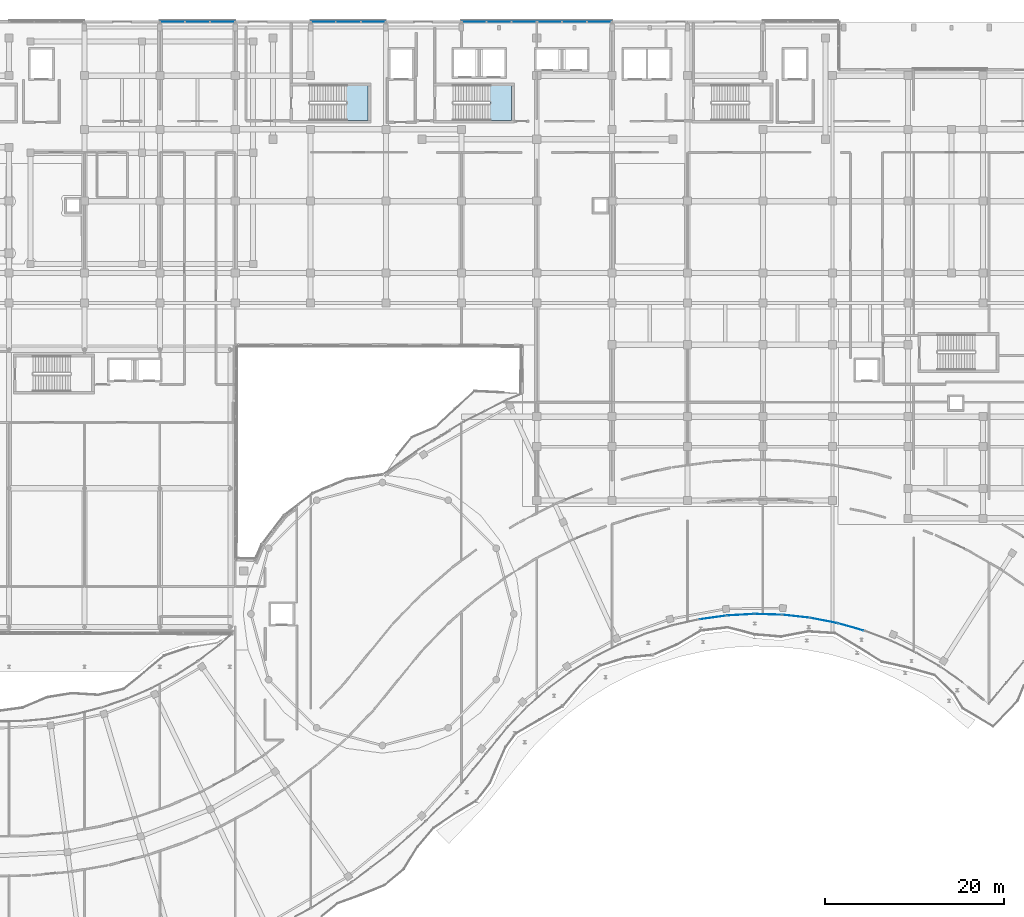
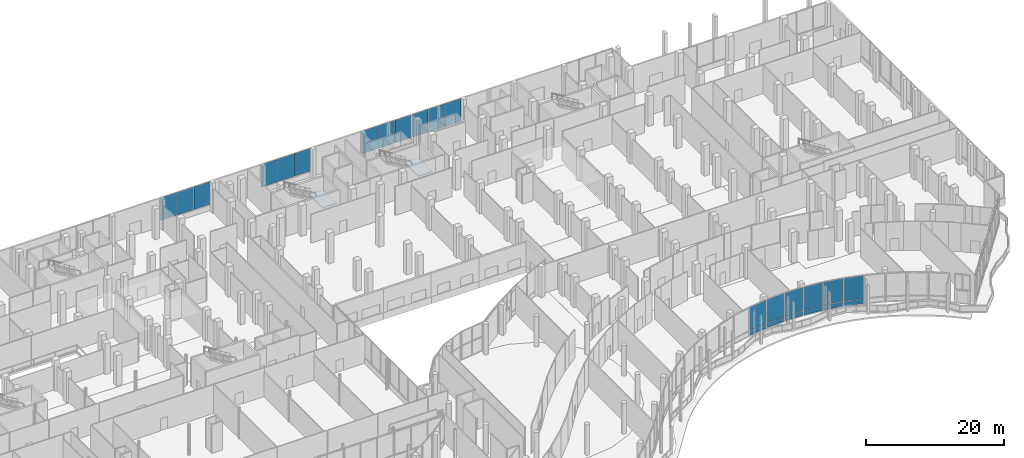
# One storey, part 129 of 158: 24 plates, 2 slabs, 12 elements without a shape of their own.
"""IFC4 building model written with IfcOpenShell, lengths in metres."""

from ifc_helpers import new_model, si_unit, direction, frame, origin, origin_2d, place, context, subcontext, project, spatial, polyline, rectangle, outline, extrude, material, layer, layer_set, type_object, element, aggregate, save


model = new_model("IFC4")

# Units and contexts
model_context = context("Model", 3, precision=1e-05, world=origin(), true_north=direction((0.0, 1.0)))
body_context = subcontext(model_context, "Body", "Model", "MODEL_VIEW")
ifc_project = project(units=[si_unit("LENGTHUNIT", "METRE"), si_unit("AREAUNIT", "SQUARE_METRE"), si_unit("VOLUMEUNIT", "CUBIC_METRE"), si_unit("PLANEANGLEUNIT", "RADIAN"), si_unit("MASSUNIT", "GRAM", prefix="KILO")], contexts=[model_context])

# Site, building, storey
site_placement = place(None, origin())
site = spatial("IfcSite", under=ifc_project, at=site_placement, CompositionType="ELEMENT")
building_placement = place(site_placement, origin())
building = spatial("IfcBuilding", under=site, at=building_placement, Name="Selatvlak General Hospital", CompositionType="ELEMENT")
storey_placement = place(building_placement, origin())
storey = spatial("IfcBuildingStorey", under=building, at=storey_placement, Name="L00", CompositionType="ELEMENT", Elevation=0.0)

# Curtain wall, plates
ifc_material_1 = material(Name="Solar-control Low-E double glazing", Category="glass")
curtain_wall_type_1 = type_object("IfcCurtainWallType", Name="CW-CW-01", PredefinedType="USERDEFINED", material=ifc_material_1)
curtain_wall_1_placement = place(storey_placement, origin())
curtain_wall_1 = element("IfcCurtainWall", 1, at=curtain_wall_1_placement, inside=storey, type_object=curtain_wall_type_1, Name="Glazed facade curtain wall CW-L00-0006", ObjectType="UNITISED CURTAIN WALL", PredefinedType="USERDEFINED")
ifc_layer_1 = layer(ifc_material_1, 0.028076171875, Name="Solar-control Low-E double glazing", Category="glass")
ifc_layer_set_1 = layer_set([ifc_layer_1], Name="Solar-control Low-E double glazing")
plate_type = type_object("IfcPlateType", Name="CWP-01", PredefinedType="CURTAIN_PANEL", material=ifc_layer_set_1)
plate_1_placement = place(storey_placement, frame((74.626220703125, 119.9990234375, 1.0048828125), z_axis=(0.0, 0.0, 1.0), x_axis=(1.0, 0.0, 0.0)))
plate_1 = element("IfcPlate", 2, at=plate_1_placement, type_object=plate_type, Name="CW-01 panel 1.1", PredefinedType="CURTAIN_PANEL", context=body_context, shape_type="SweptSolid", body=[
    extrude(rectangle(XDim=2.6923828125, YDim=0.028076171875, at=origin_2d()), origin(), (0.0, 0.0, 1.0), 4.010009765625),
])
plate_2_placement = place(storey_placement, frame((77.39990234375, 119.9990234375, 1.0048828125), z_axis=(0.0, 0.0, 1.0), x_axis=(1.0, 0.0, 0.0)))
plate_2 = element("IfcPlate", 3, at=plate_2_placement, type_object=plate_type, Name="CW-01 panel 2.1", PredefinedType="CURTAIN_PANEL", context=body_context, shape_type="SweptSolid", body=[
    extrude(rectangle(XDim=2.72509765625, YDim=0.028076171875, at=origin_2d()), origin(), (0.0, 0.0, 1.0), 4.010009765625),
])
plate_3_placement = place(storey_placement, frame((80.173828125, 119.9990234375, 1.0048828125), z_axis=(0.0, 0.0, 1.0), x_axis=(1.0, 0.0, 0.0)))
plate_3 = element("IfcPlate", 4, at=plate_3_placement, type_object=plate_type, Name="CW-01 panel 3.1", PredefinedType="CURTAIN_PANEL", context=body_context, shape_type="SweptSolid", body=[
    extrude(rectangle(XDim=2.6923828125, YDim=0.028076171875, at=origin_2d()), origin(), (0.0, 0.0, 1.0), 4.010009765625),
])
aggregate(curtain_wall_1, [plate_1, plate_2, plate_3])

curtain_wall_2_placement = place(storey_placement, origin())
curtain_wall_2 = element("IfcCurtainWall", 5, at=curtain_wall_2_placement, inside=storey, type_object=curtain_wall_type_1, Name="Glazed facade curtain wall CW-L00-0007", ObjectType="UNITISED CURTAIN WALL", PredefinedType="USERDEFINED")
plate_4_placement = place(storey_placement, frame((91.42529296875, 120.0, 1.0048828125), z_axis=(0.0, 0.0, 1.0), x_axis=(1.0, 0.0, 0.0)))
plate_4 = element("IfcPlate", 6, at=plate_4_placement, type_object=plate_type, Name="CW-01 panel 1.1", PredefinedType="CURTAIN_PANEL", context=body_context, shape_type="SweptSolid", body=[
    extrude(rectangle(XDim=2.6923828125, YDim=0.028076171875, at=origin_2d()), origin(), (0.0, 0.0, 1.0), 4.010009765625),
])
plate_5_placement = place(storey_placement, frame((94.198974609375, 120.0, 1.0048828125), z_axis=(0.0, 0.0, 1.0), x_axis=(1.0, 0.0, 0.0)))
plate_5 = element("IfcPlate", 7, at=plate_5_placement, type_object=plate_type, Name="CW-01 panel 2.1", PredefinedType="CURTAIN_PANEL", context=body_context, shape_type="SweptSolid", body=[
    extrude(rectangle(XDim=2.72509765625, YDim=0.028076171875, at=origin_2d()), origin(), (0.0, 0.0, 1.0), 4.010009765625),
])
plate_6_placement = place(storey_placement, frame((96.97265625, 120.0, 1.0048828125), z_axis=(0.0, 0.0, 1.0), x_axis=(1.0, 0.0, 0.0)))
plate_6 = element("IfcPlate", 8, at=plate_6_placement, type_object=plate_type, Name="CW-01 panel 3.1", PredefinedType="CURTAIN_PANEL", context=body_context, shape_type="SweptSolid", body=[
    extrude(rectangle(XDim=2.6923828125, YDim=0.028076171875, at=origin_2d()), origin(), (0.0, 0.0, 1.0), 4.010009765625),
])
aggregate(curtain_wall_2, [plate_4, plate_5, plate_6])

curtain_wall_3_placement = place(storey_placement, origin())
curtain_wall_3 = element("IfcCurtainWall", 9, at=curtain_wall_3_placement, inside=storey, type_object=curtain_wall_type_1, Name="Glazed facade curtain wall CW-L00-0008", ObjectType="UNITISED CURTAIN WALL", PredefinedType="USERDEFINED")
plate_7_placement = place(storey_placement, frame((108.225341796875, 120.0, 1.0048828125), z_axis=(0.0, 0.0, 1.0), x_axis=(1.0, 0.0, 0.0)))
plate_7 = element("IfcPlate", 10, at=plate_7_placement, type_object=plate_type, Name="CW-01 panel 1.1", PredefinedType="CURTAIN_PANEL", context=body_context, shape_type="SweptSolid", body=[
    extrude(rectangle(XDim=2.6923828125, YDim=0.028076171875, at=origin_2d()), origin(), (0.0, 0.0, 1.0), 4.010009765625),
])
plate_8_placement = place(storey_placement, frame((110.9990234375, 120.0, 1.0048828125), z_axis=(0.0, 0.0, 1.0), x_axis=(1.0, 0.0, 0.0)))
plate_8 = element("IfcPlate", 11, at=plate_8_placement, type_object=plate_type, Name="CW-01 panel 2.1", PredefinedType="CURTAIN_PANEL", context=body_context, shape_type="SweptSolid", body=[
    extrude(rectangle(XDim=2.72509765625, YDim=0.028076171875, at=origin_2d()), origin(), (0.0, 0.0, 1.0), 4.010009765625),
])
plate_9_placement = place(storey_placement, frame((113.772705078125, 120.0, 1.0048828125), z_axis=(0.0, 0.0, 1.0), x_axis=(1.0, 0.0, 0.0)))
plate_9 = element("IfcPlate", 12, at=plate_9_placement, type_object=plate_type, Name="CW-01 panel 3.1", PredefinedType="CURTAIN_PANEL", context=body_context, shape_type="SweptSolid", body=[
    extrude(rectangle(XDim=2.6923828125, YDim=0.028076171875, at=origin_2d()), origin(), (0.0, 0.0, 1.0), 4.010009765625),
])
aggregate(curtain_wall_3, [plate_7, plate_8, plate_9])

curtain_wall_type_2 = type_object("IfcCurtainWallType", Name="CW-CW-02", PredefinedType="USERDEFINED", material=ifc_material_1)
curtain_wall_4_placement = place(storey_placement, origin())
curtain_wall_4 = element("IfcCurtainWall", 13, at=curtain_wall_4_placement, inside=storey, type_object=curtain_wall_type_2, Name="Glazed facade curtain wall CW-L00-0009", ObjectType="UNITISED CURTAIN WALL", PredefinedType="USERDEFINED")
plate_10_placement = place(storey_placement, frame((116.6669921875, 120.0, 1.0048828125), z_axis=(0.0, 0.0, 1.0), x_axis=(1.0, 0.0, 0.0)))
plate_10 = element("IfcPlate", 14, at=plate_10_placement, type_object=plate_type, Name="CW-02 panel 1.1", PredefinedType="CURTAIN_PANEL", context=body_context, shape_type="SweptSolid", body=[
    extrude(rectangle(XDim=2.67578125, YDim=0.028076171875, at=origin_2d()), origin(), (0.0, 0.0, 1.0), 4.010009765625),
])
plate_11_placement = place(storey_placement, frame((119.424072265625, 120.0, 1.0048828125), z_axis=(0.0, 0.0, 1.0), x_axis=(1.0, 0.0, 0.0)))
plate_11 = element("IfcPlate", 15, at=plate_11_placement, type_object=plate_type, Name="CW-02 panel 2.1", PredefinedType="CURTAIN_PANEL", context=body_context, shape_type="SweptSolid", body=[
    extrude(rectangle(XDim=2.708251953125, YDim=0.028076171875, at=origin_2d()), origin(), (0.0, 0.0, 1.0), 4.010009765625),
])
plate_12_placement = place(storey_placement, frame((122.18115234375, 120.0, 1.0048828125), z_axis=(0.0, 0.0, 1.0), x_axis=(1.0, 0.0, 0.0)))
plate_12 = element("IfcPlate", 16, at=plate_12_placement, type_object=plate_type, Name="CW-02 panel 3.1", PredefinedType="CURTAIN_PANEL", context=body_context, shape_type="SweptSolid", body=[
    extrude(rectangle(XDim=2.67578125, YDim=0.028076171875, at=origin_2d()), origin(), (0.0, 0.0, 1.0), 4.010009765625),
])
aggregate(curtain_wall_4, [plate_10, plate_11, plate_12])

curtain_wall_5_placement = place(storey_placement, origin())
curtain_wall_5 = element("IfcCurtainWall", 17, at=curtain_wall_5_placement, inside=storey, type_object=curtain_wall_type_2, Name="Glazed facade curtain wall CW-L00-0028", ObjectType="UNITISED CURTAIN WALL", PredefinedType="USERDEFINED")
plate_13_placement = place(storey_placement, frame((150.205078125, 52.551513671875, 0.06494140625), z_axis=(0.0, 0.0, 1.0), x_axis=(-0.962057469853, 0.272846888748, 0.0)))
plate_13 = element("IfcPlate", 18, at=plate_13_placement, type_object=plate_type, Name="CW-02 panel 1.1", PredefinedType="CURTAIN_PANEL", context=body_context, shape_type="SweptSolid", body=[
    extrude(rectangle(XDim=2.901123046875, YDim=0.028076171875, at=origin_2d()), origin(), (0.0, 0.0, 1.0), 0.8525390625),
])
plate_14_placement = place(storey_placement, frame((150.205078125, 52.551513671875, 0.982421875), z_axis=(0.0, 0.0, 1.0), x_axis=(-0.962057469853, 0.272846888748, 0.0)))
plate_14 = element("IfcPlate", 19, at=plate_14_placement, type_object=plate_type, Name="CW-02 panel 1.2", PredefinedType="CURTAIN_PANEL", context=body_context, shape_type="SweptSolid", body=[
    extrude(rectangle(XDim=2.901123046875, YDim=0.028076171875, at=origin_2d()), origin(), (0.0, 0.0, 1.0), 4.032470703125),
])
aggregate(curtain_wall_5, [plate_13, plate_14])

curtain_wall_6_placement = place(storey_placement, origin())
curtain_wall_6 = element("IfcCurtainWall", 20, at=curtain_wall_6_placement, inside=storey, type_object=curtain_wall_type_1, Name="Glazed facade curtain wall CW-L00-0029", ObjectType="UNITISED CURTAIN WALL", PredefinedType="USERDEFINED")
plate_15_placement = place(storey_placement, frame((147.180908203125, 53.2734375, 0.06494140625), z_axis=(0.0, 0.0, 1.0), x_axis=(-0.981346698428, 0.192246345827, 0.0)))
plate_15 = element("IfcPlate", 21, at=plate_15_placement, type_object=plate_type, Name="CW-01 panel 1.1", PredefinedType="CURTAIN_PANEL", context=body_context, shape_type="SweptSolid", body=[
    extrude(rectangle(XDim=2.902587890625, YDim=0.028076171875, at=origin_2d()), origin(), (0.0, 0.0, 1.0), 0.8525390625),
])
plate_16_placement = place(storey_placement, frame((147.180908203125, 53.2734375, 0.982421875), z_axis=(0.0, 0.0, 1.0), x_axis=(-0.981346698428, 0.192246345827, 0.0)))
plate_16 = element("IfcPlate", 22, at=plate_16_placement, type_object=plate_type, Name="CW-01 panel 1.2", PredefinedType="CURTAIN_PANEL", context=body_context, shape_type="SweptSolid", body=[
    extrude(rectangle(XDim=2.902587890625, YDim=0.028076171875, at=origin_2d()), origin(), (0.0, 0.0, 1.0), 4.032470703125),
])
aggregate(curtain_wall_6, [plate_15, plate_16])

curtain_wall_7_placement = place(storey_placement, origin())
curtain_wall_7 = element("IfcCurtainWall", 23, at=curtain_wall_7_placement, inside=storey, type_object=curtain_wall_type_2, Name="Glazed facade curtain wall CW-L00-0030", ObjectType="UNITISED CURTAIN WALL", PredefinedType="USERDEFINED")
plate_17_placement = place(storey_placement, frame((144.10546875, 53.742431640625, 0.06494140625), z_axis=(0.0, 0.0, 1.0), x_axis=(-0.993955887919, 0.109780202548, 0.0)))
plate_17 = element("IfcPlate", 24, at=plate_17_placement, type_object=plate_type, Name="CW-02 panel 1.1", PredefinedType="CURTAIN_PANEL", context=body_context, shape_type="SweptSolid", body=[
    extrude(rectangle(XDim=2.9033203125, YDim=0.028076171875, at=origin_2d()), origin(), (0.0, 0.0, 1.0), 0.8525390625),
])
plate_18_placement = place(storey_placement, frame((144.10546875, 53.742431640625, 0.982421875), z_axis=(0.0, 0.0, 1.0), x_axis=(-0.993955887919, 0.109780202548, 0.0)))
plate_18 = element("IfcPlate", 25, at=plate_18_placement, type_object=plate_type, Name="CW-02 panel 1.2", PredefinedType="CURTAIN_PANEL", context=body_context, shape_type="SweptSolid", body=[
    extrude(rectangle(XDim=2.9033203125, YDim=0.028076171875, at=origin_2d()), origin(), (0.0, 0.0, 1.0), 4.032470703125),
])
aggregate(curtain_wall_7, [plate_17, plate_18])

curtain_wall_8_placement = place(storey_placement, origin())
curtain_wall_8 = element("IfcCurtainWall", 26, at=curtain_wall_8_placement, inside=storey, type_object=curtain_wall_type_1, Name="Glazed facade curtain wall CW-L00-0031", ObjectType="UNITISED CURTAIN WALL", PredefinedType="USERDEFINED")
plate_19_placement = place(storey_placement, frame((141.001953125, 53.9541015625, 0.06494140625), z_axis=(0.0, 0.0, 1.0), x_axis=(-0.999616451519, 0.027693859483, 0.0)))
plate_19 = element("IfcPlate", 27, at=plate_19_placement, type_object=plate_type, Name="CW-01 panel 1.1", PredefinedType="CURTAIN_PANEL", context=body_context, shape_type="SweptSolid", body=[
    extrude(rectangle(XDim=2.903076171875, YDim=0.028076171875, at=origin_2d()), origin(), (0.0, 0.0, 1.0), 0.8525390625),
])
plate_20_placement = place(storey_placement, frame((141.001953125, 53.9541015625, 0.982421875), z_axis=(0.0, 0.0, 1.0), x_axis=(-0.999616451519, 0.027693859483, 0.0)))
plate_20 = element("IfcPlate", 28, at=plate_20_placement, type_object=plate_type, Name="CW-01 panel 1.2", PredefinedType="CURTAIN_PANEL", context=body_context, shape_type="SweptSolid", body=[
    extrude(rectangle(XDim=2.903076171875, YDim=0.028076171875, at=origin_2d()), origin(), (0.0, 0.0, 1.0), 4.032470703125),
])
aggregate(curtain_wall_8, [plate_19, plate_20])

curtain_wall_9_placement = place(storey_placement, origin())
curtain_wall_9 = element("IfcCurtainWall", 29, at=curtain_wall_9_placement, inside=storey, type_object=curtain_wall_type_2, Name="Glazed facade curtain wall CW-L00-0032", ObjectType="UNITISED CURTAIN WALL", PredefinedType="USERDEFINED")
plate_21_placement = place(storey_placement, frame((137.89453125, 53.908447265625, 0.06494140625), z_axis=(0.0, 0.0, 1.0), x_axis=(-0.998477581672, -0.055159032792, 0.0)))
plate_21 = element("IfcPlate", 30, at=plate_21_placement, type_object=plate_type, Name="CW-02 panel 1.1", PredefinedType="CURTAIN_PANEL", context=body_context, shape_type="SweptSolid", body=[
    extrude(rectangle(XDim=2.897705078125, YDim=0.028076171875, at=origin_2d()), origin(), (0.0, 0.0, 1.0), 0.8525390625),
])
plate_22_placement = place(storey_placement, frame((137.89453125, 53.908447265625, 0.982421875), z_axis=(0.0, 0.0, 1.0), x_axis=(-0.998477581672, -0.055159032792, 0.0)))
plate_22 = element("IfcPlate", 31, at=plate_22_placement, type_object=plate_type, Name="CW-02 panel 1.2", PredefinedType="CURTAIN_PANEL", context=body_context, shape_type="SweptSolid", body=[
    extrude(rectangle(XDim=2.897705078125, YDim=0.028076171875, at=origin_2d()), origin(), (0.0, 0.0, 1.0), 4.032470703125),
])
aggregate(curtain_wall_9, [plate_21, plate_22])

curtain_wall_10_placement = place(storey_placement, origin())
curtain_wall_10 = element("IfcCurtainWall", 32, at=curtain_wall_10_placement, inside=storey, type_object=curtain_wall_type_1, Name="Glazed facade curtain wall CW-L00-0033", ObjectType="UNITISED CURTAIN WALL", PredefinedType="USERDEFINED")
plate_23_placement = place(storey_placement, frame((134.800537109375, 53.60498046875, 0.06494140625), z_axis=(0.0, 0.0, 1.0), x_axis=(-0.990373398315, -0.138421573138, 0.0)))
plate_23 = element("IfcPlate", 33, at=plate_23_placement, type_object=plate_type, Name="CW-01 panel 1.1", PredefinedType="CURTAIN_PANEL", context=body_context, shape_type="SweptSolid", body=[
    extrude(rectangle(XDim=2.904296875, YDim=0.028076171875, at=origin_2d()), origin(), (0.0, 0.0, 1.0), 0.8525390625),
])
plate_24_placement = place(storey_placement, frame((134.800537109375, 53.60498046875, 0.982421875), z_axis=(0.0, 0.0, 1.0), x_axis=(-0.990373398315, -0.138421573138, 0.0)))
plate_24 = element("IfcPlate", 34, at=plate_24_placement, type_object=plate_type, Name="CW-01 panel 1.2", PredefinedType="CURTAIN_PANEL", context=body_context, shape_type="SweptSolid", body=[
    extrude(rectangle(XDim=2.904296875, YDim=0.028076171875, at=origin_2d()), origin(), (0.0, 0.0, 1.0), 4.032470703125),
])
aggregate(curtain_wall_10, [plate_23, plate_24])

# Stair, slab
ifc_material_2 = material(Name="Precast concrete C40/50", Category="concrete")
stair_type_1 = type_object("IfcStairType", Name="STAIR-ST-02", PredefinedType="HALF_TURN_STAIR", material=ifc_material_2)
stair_1_placement = place(storey_placement, origin())
stair_1 = element("IfcStair", 35, at=stair_1_placement, inside=storey, type_object=stair_type_1, Name="L00 Protected exit stair ST-02", PredefinedType="HALF_TURN_STAIR")
ifc_material_3 = material(Name="Concrete C40/50", Category="concrete")
ifc_layer_2 = layer(ifc_material_3, 0.199951171875, Name="Concrete C40/50", Category="concrete")
ifc_layer_set_2 = layer_set([ifc_layer_2], Name="Concrete C40/50")
slab_type = type_object("IfcSlabType", Name="SLAB-LND1", PredefinedType="LANDING", material=ifc_layer_set_2)
slab_1_placement = place(storey_placement, frame((0.0, 0.0, 2.5)))
slab_1 = element("IfcSlab", 36, at=slab_1_placement, type_object=slab_type, Name="ST-02 landing 1", PredefinedType="LANDING", context=body_context, shape_type="SweptSolid", body=[
    extrude(outline(polyline([(94.014892578125, 109.0), (96.39990234375, 109.0), (96.39990234375, 112.93994140625), (94.014892578125, 112.93994140625), (94.014892578125, 109.0)])), origin(), (0.0, 0.0, 1.0), 0.199951171875),
])
aggregate(stair_1, [slab_1])

stair_type_2 = type_object("IfcStairType", Name="STAIR-ST-03", PredefinedType="HALF_TURN_STAIR", material=ifc_material_2)
stair_2_placement = place(storey_placement, origin())
stair_2 = element("IfcStair", 37, at=stair_2_placement, inside=storey, type_object=stair_type_2, Name="L00 Protected exit stair ST-03", PredefinedType="HALF_TURN_STAIR")
slab_2_placement = place(storey_placement, frame((0.0, 0.0, 2.5)))
slab_2 = element("IfcSlab", 38, at=slab_2_placement, type_object=slab_type, Name="ST-03 landing 1", PredefinedType="LANDING", context=body_context, shape_type="SweptSolid", body=[
    extrude(outline(polyline([(110.014892578125, 109.0), (112.39990234375, 109.0), (112.39990234375, 112.93994140625), (110.014892578125, 112.93994140625), (110.014892578125, 109.0)])), origin(), (0.0, 0.0, 1.0), 0.199951171875),
])
aggregate(stair_2, [slab_2])

save(model, "model.ifc")
